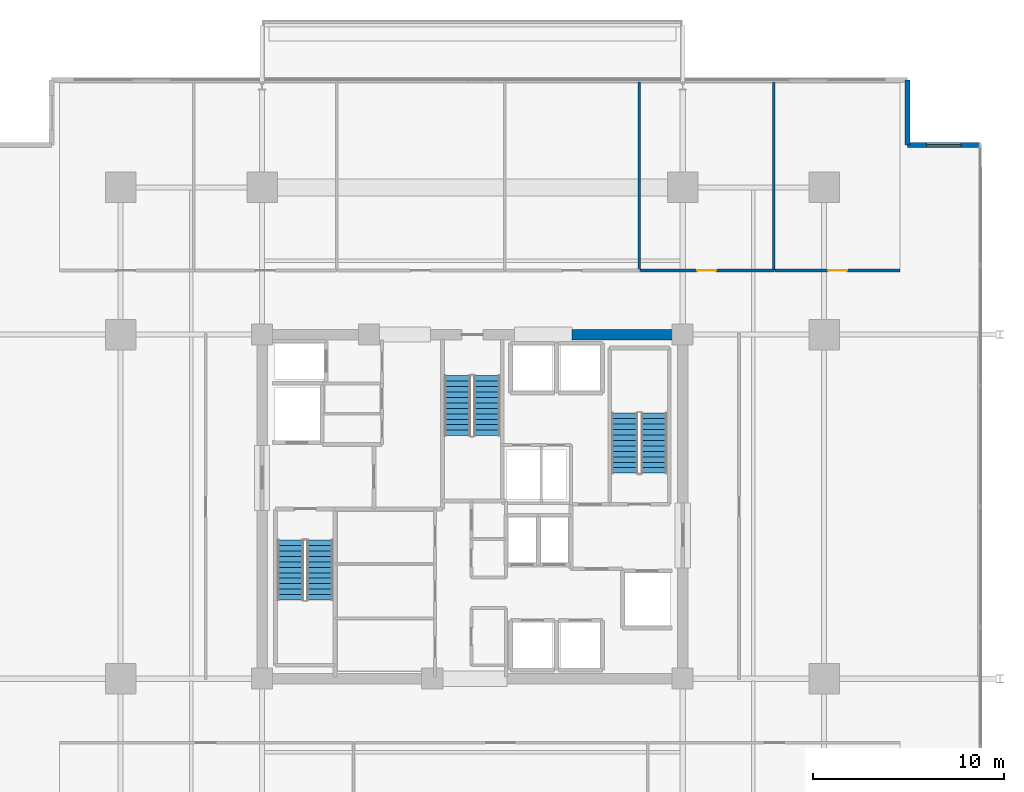
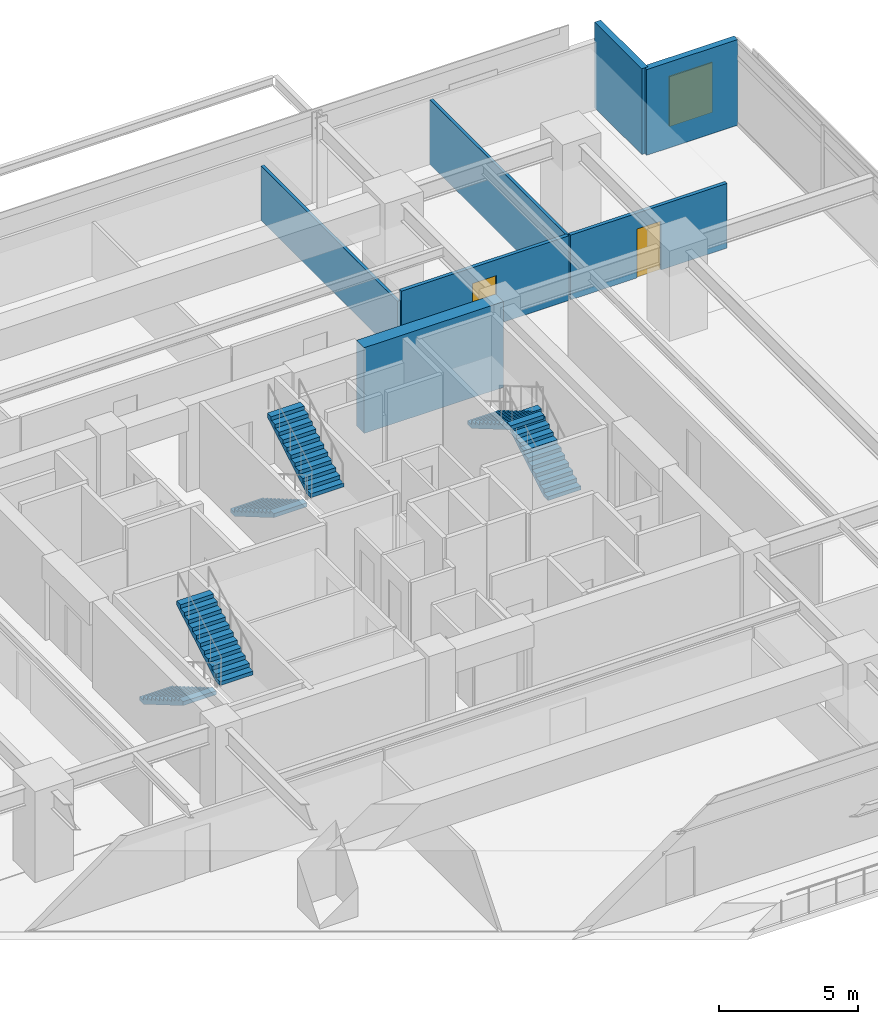
# One storey, part 18 of 23: 7 walls, 6 stair flights, 2 doors, 1 window, 3 openings, 3 elements without a shape of their own.
"""IFC4 building model written with IfcOpenShell, lengths in metres."""

from ifc_helpers import new_model, si_unit, direction, frame, frame_2d, origin, place, context, subcontext, project, spatial, polyline, rectangle, outline, extrude, material, layer, layer_set, type_object, element, fill, aggregate, save


model = new_model("IFC4")

# Units and contexts
model_context = context("Model", 3, precision=1e-05, world=origin(), true_north=direction((0.0, 1.0)))
body_context = subcontext(model_context, "Body", "Model", "MODEL_VIEW")
ifc_project = project(units=[si_unit("LENGTHUNIT", "METRE"), si_unit("AREAUNIT", "SQUARE_METRE"), si_unit("VOLUMEUNIT", "CUBIC_METRE"), si_unit("PLANEANGLEUNIT", "RADIAN"), si_unit("MASSUNIT", "GRAM", prefix="KILO")], contexts=[model_context])

# Site, building, storey
site_placement = place(None, origin())
site = spatial("IfcSite", under=ifc_project, at=site_placement, CompositionType="ELEMENT")
building_placement = place(site_placement, origin())
building = spatial("IfcBuilding", under=site, at=building_placement, Name="Kovane Verandah Tower", CompositionType="ELEMENT")
storey_placement = place(building_placement, frame((0.0, 0.0, 148.39990234375)))
storey = spatial("IfcBuildingStorey", under=building, at=storey_placement, Name="L34", CompositionType="ELEMENT", Elevation=148.39990234375)

# Wall, opening, door
ifc_material_1 = material(Name="Fire-Rated Gypsum Stud Partition", Category="gypsum")
ifc_layer_1 = layer(ifc_material_1, 0.14990234375)
ifc_layer_set_1 = layer_set([ifc_layer_1], Name="Fire-Rated Gypsum Stud Partition")
wall_type_1 = type_object("IfcWallType", Name="WL-COR-150", PredefinedType="PARTITIONING", material=ifc_layer_set_1)
wall_1_placement = place(storey_placement, frame((48.80322265625, 39.85009765625, 0.0), z_axis=(0.0, 0.0, 1.0), x_axis=(1.0, 0.0, 0.0)))
wall_1 = element("IfcWall", 1, at=wall_1_placement, inside=storey, type_object=wall_type_1, Name="L34 Document and Print Room N5 Corridor Partition", PredefinedType="PARTITIONING", context=body_context, shape_type="SweptSolid", body=[
    extrude(rectangle(XDim=6.965087890625, YDim=0.14990234375, at=frame_2d((3.482421875, 0.0))), origin(), (0.0, 0.0, 1.0), 2.85009765625),
])
opening_1_placement = place(wall_1_placement, frame((2.947509765625, 0.0, 0.0)))
opening_1 = element("IfcOpeningElement", 2, at=opening_1_placement, cuts=wall_1, Name="Opening DR-L34-023", PredefinedType="OPENING", context=body_context, shape_type="SweptSolid", body=[
    extrude(rectangle(XDim=1.0, YDim=2.14990234375, at=frame_2d((0.5, 1.074951171875))), frame((0.0, 0.074951171875, 0.0), z_axis=(0.0, -1.0, 0.0), x_axis=(1.0, 0.0, 0.0)), (0.0, 0.0, 1.0), 0.14990234375),
])
ifc_material_2 = material(Name="FSC Spotted-Gum Timber Fire-Rated Office Door", Category="wood")
door_type = type_object("IfcDoorType", Name="DR-OFF-1000", OperationType="SINGLE_SWING_LEFT", PredefinedType="DOOR", material=ifc_material_2)
door_1_placement = place(opening_1_placement, origin())
door_1 = element("IfcDoor", 3, at=door_1_placement, inside=storey, type_object=door_type, Name="L34 Document and Print Room N5 Entrance Door", OperationType="SINGLE_SWING_LEFT", OverallHeight=2.14990234375, OverallWidth=1.0, PredefinedType="DOOR", context=body_context, shape_type="SweptSolid", body=[
    extrude(rectangle(XDim=1.0, YDim=2.14990234375, at=frame_2d((0.5, 1.074951171875))), frame((0.0, 0.02490234375, 0.0), z_axis=(0.0, -1.0, 0.0), x_axis=(1.0, 0.0, 0.0)), (0.0, 0.0, 1.0), 0.050048828125),
])
fill(opening_1, door_1)

wall_2_placement = place(storey_placement, frame((55.838134765625, 39.85009765625, 0.0), z_axis=(0.0, 0.0, 1.0), x_axis=(1.0, 0.0, 0.0)))
wall_2 = element("IfcWall", 4, at=wall_2_placement, inside=storey, type_object=wall_type_1, Name="L34 Open Plan Office N6 Corridor Partition", PredefinedType="PARTITIONING", context=body_context, shape_type="SweptSolid", body=[
    extrude(rectangle(XDim=6.525390625, YDim=0.14990234375, at=frame_2d((3.2626953125, 0.0))), origin(), (0.0, 0.0, 1.0), 2.85009765625),
])
opening_2_placement = place(wall_2_placement, frame((2.7626953125, 0.0, 0.0)))
opening_2 = element("IfcOpeningElement", 5, at=opening_2_placement, cuts=wall_2, Name="Opening DR-L34-024", PredefinedType="OPENING", context=body_context, shape_type="SweptSolid", body=[
    extrude(rectangle(XDim=1.0, YDim=2.14990234375, at=frame_2d((0.5, 1.074951171875))), frame((0.0, 0.074951171875, 0.0), z_axis=(0.0, -1.0, 0.0), x_axis=(1.0, 0.0, 0.0)), (0.0, 0.0, 1.0), 0.14990234375),
])
door_2_placement = place(opening_2_placement, origin())
door_2 = element("IfcDoor", 6, at=door_2_placement, inside=storey, type_object=door_type, Name="L34 Open Plan Office N6 Entrance Door", OperationType="SINGLE_SWING_RIGHT", OverallHeight=2.14990234375, OverallWidth=1.0, PredefinedType="DOOR", context=body_context, shape_type="SweptSolid", body=[
    extrude(rectangle(XDim=1.0, YDim=2.14990234375, at=frame_2d((0.5, 1.074951171875))), frame((0.0, 0.02490234375, 0.0), z_axis=(0.0, -1.0, 0.0), x_axis=(1.0, 0.0, 0.0)), (0.0, 0.0, 1.0), 0.050048828125),
])
fill(opening_2, door_2)

# Walls
ifc_material_3 = material(Name="Concrete C60/75", Category="concrete")
ifc_layer_2 = layer(ifc_material_3, 0.550048828125)
ifc_layer_set_2 = layer_set([ifc_layer_2], Name="Concrete C60/75")
wall_type_2 = type_object("IfcWallType", Name="WL-CORE-550", PredefinedType="SHEAR", material=ifc_layer_set_2)
wall_3_placement = place(storey_placement, frame((45.199951171875, 36.5, 0.0), z_axis=(0.0, 0.0, 1.0), x_axis=(1.0, 0.0, 0.0)))
element("IfcWall", 7, at=wall_3_placement, inside=storey, type_object=wall_type_2, Name="L34 Core Shear Wall CN-3", PredefinedType="SHEAR", context=body_context, shape_type="SweptSolid", body=[
    extrude(rectangle(XDim=5.800048828125, YDim=0.550048828125, at=frame_2d((2.89990234375, 0.0))), origin(), (0.0, 0.0, 1.0), 3.775146484375),
])
ifc_material_4 = material(Name="Acoustic Fire-Rated Gypsum Partition", Category="gypsum")
ifc_layer_3 = layer(ifc_material_4, 0.1201171875)
ifc_layer_set_3 = layer_set([ifc_layer_3], Name="Acoustic Fire-Rated Gypsum Partition")
wall_type_3 = type_object("IfcWallType", Name="WL-PART-120", PredefinedType="PARTITIONING", material=ifc_layer_set_3)
wall_4_placement = place(storey_placement, frame((48.733154296875, 39.85009765625, 0.0), z_axis=(0.0, 0.0, 1.0), x_axis=(0.0, 1.0, 0.0)))
element("IfcWall", 8, at=wall_4_placement, inside=storey, type_object=wall_type_3, Name="L34 Collaboration Hub N4 Dividing Partition", PredefinedType="PARTITIONING", context=body_context, shape_type="SweptSolid", body=[
    extrude(rectangle(XDim=9.853515625, YDim=0.1201171875, at=frame_2d((4.9267578125, 0.0))), origin(), (0.0, 0.0, 1.0), 2.405029296875),
])
wall_5_placement = place(storey_placement, frame((55.768310546875, 39.85009765625, 0.0), z_axis=(0.0, 0.0, 1.0), x_axis=(0.0, 1.0, 0.0)))
element("IfcWall", 9, at=wall_5_placement, inside=storey, type_object=wall_type_3, Name="L34 Document and Print Room N5 Dividing Partition", PredefinedType="PARTITIONING", context=body_context, shape_type="SweptSolid", body=[
    extrude(rectangle(XDim=9.853515625, YDim=0.1201171875, at=frame_2d((4.9267578125, 0.0))), origin(), (0.0, 0.0, 1.0), 2.85009765625),
])

# Wall, opening, window
ifc_material_5 = material(Name="Concrete C45/55 Insulated Spandrel Wall", Category="concrete")
ifc_layer_4 = layer(ifc_material_5, 0.260009765625)
ifc_layer_set_4 = layer_set([ifc_layer_4], Name="Concrete C45/55 Insulated Spandrel Wall")
wall_type_4 = type_object("IfcWallType", Name="WL-SPANDREL-260", PredefinedType="PARAPET", material=ifc_layer_set_4)
wall_6_placement = place(storey_placement, frame((66.5634765625, 46.403564453125, 0.0), z_axis=(0.0, 0.0, 1.0), x_axis=(-1.0, 0.0, 0.0)))
wall_6 = element("IfcWall", 10, at=wall_6_placement, inside=storey, type_object=wall_type_4, Name="L34 NE Notch Cheek Wall 1", PredefinedType="PARAPET", context=body_context, shape_type="SweptSolid", body=[
    extrude(rectangle(XDim=3.800048828125, YDim=0.260009765625, at=frame_2d((1.89990234375, 0.0))), origin(), (0.0, 0.0, 1.0), 3.775146484375),
])
opening_3_placement = place(wall_6_placement, frame((1.0, 0.0, 0.85009765625)))
opening_3 = element("IfcOpeningElement", 11, at=opening_3_placement, cuts=wall_6, Name="Opening W-03", PredefinedType="OPENING", context=body_context, shape_type="SweptSolid", body=[
    extrude(rectangle(XDim=1.800048828125, YDim=2.199951171875, at=frame_2d((0.89990234375, 1.10009765625))), frame((0.0, 0.1298828125, 0.0), z_axis=(0.0, -1.0, 0.0), x_axis=(1.0, 0.0, 0.0)), (0.0, 0.0, 1.0), 0.260009765625),
])
ifc_material_6 = material(Name="Clear Low-E Laminated Double Glazing in Anodised Frame", Category="glass")
window_type = type_object("IfcWindowType", Name="WN-NOTCH-1800x2200", PartitioningType="SINGLE_PANEL", PredefinedType="WINDOW", material=ifc_material_6)
window_placement = place(opening_3_placement, origin())
window = element("IfcWindow", 12, at=window_placement, inside=storey, type_object=window_type, Name="L34 NE Re-Entrant Corner Operable Window", OverallHeight=2.199951171875, OverallWidth=1.800048828125, PartitioningType="SINGLE_PANEL", PredefinedType="WINDOW", context=body_context, shape_type="SweptSolid", body=[
    extrude(rectangle(XDim=1.800048828125, YDim=2.199951171875, at=frame_2d((0.89990234375, 1.10009765625))), frame((0.0, 0.030029296875, 0.0), z_axis=(0.0, -1.0, 0.0), x_axis=(1.0, 0.0, 0.0)), (0.0, 0.0, 1.0), 0.06005859375),
])
fill(opening_3, window)

# Wall
wall_7_placement = place(storey_placement, frame((62.763427734375, 46.403564453125, 0.0), z_axis=(0.0, 0.0, 1.0), x_axis=(0.0, 1.0, 0.0)))
element("IfcWall", 13, at=wall_7_placement, inside=storey, type_object=wall_type_4, Name="L34 NE Notch Cheek Wall 2", PredefinedType="PARAPET", context=body_context, shape_type="SweptSolid", body=[
    extrude(rectangle(XDim=3.400146484375, YDim=0.260009765625, at=frame_2d((1.7001953125, 0.0))), origin(), (0.0, 0.0, 1.0), 3.775146484375),
])

# Stair, stair flights
ifc_material_7 = material(Name="Concrete C45/55", Category="concrete")
stair_type = type_object("IfcStairType", Name="ST-CORE-1380", PredefinedType="HALF_TURN_STAIR", material=ifc_material_7)
stair_1_placement = place(storey_placement, origin())
stair_1 = element("IfcStair", 14, at=stair_1_placement, inside=storey, type_object=stair_type, Name="L34 Exit Stair ST-01", PredefinedType="HALF_TURN_STAIR")
stair_flight_type = type_object("IfcStairFlightType", Name="STF-CORE-1380", PredefinedType="STRAIGHT", material=ifc_material_7)
stair_flight_1_placement = place(storey_placement, frame((30.489990234375, 25.75, 0.0), z_axis=(0.0, 0.0, 1.0), x_axis=(0.0, -1.0, 0.0)))
stair_flight_1 = element("IfcStairFlight", 15, at=stair_flight_1_placement, type_object=stair_flight_type, Name="ST-01 flight 1", NumberOfRisers=12, NumberOfTreads=11, PredefinedType="STRAIGHT", RiserHeight=0.166666667, TreadLength=0.285, context=body_context, shape_type="SweptSolid", body=[
    extrude(outline(polyline([(0.0, 0.0), (0.0, 0.166748046875), (0.284912109375, 0.166748046875), (0.284912109375, 0.333251953125), (0.570068359375, 0.333251953125), (0.570068359375, 0.5), (0.85498046875, 0.5), (0.85498046875, 0.666748046875), (1.139892578125, 0.666748046875), (1.139892578125, 0.833251953125), (1.425048828125, 0.833251953125), (1.425048828125, 1.0), (1.7099609375, 1.0), (1.7099609375, 1.166748046875), (1.9951171875, 1.166748046875), (1.9951171875, 1.333251953125), (2.280029296875, 1.333251953125), (2.280029296875, 1.5), (2.56494140625, 1.5), (2.56494140625, 1.666748046875), (2.85009765625, 1.666748046875), (2.85009765625, 1.833251953125), (3.135009765625, 1.833251953125), (3.135009765625, 2.0), (3.135009765625, 1.65966796875), (0.296875, 0.0), (0.0, 0.0)])), frame((0.0, 0.68994140625, 0.0), z_axis=(0.0, -1.0, 0.0), x_axis=(1.0, 0.0, 0.0)), (0.0, 0.0, 1.0), 1.3798828125),
])
stair_flight_2_placement = place(storey_placement, frame((32.030029296875, 22.614990234375, 2.0), z_axis=(0.0, 0.0, 1.0), x_axis=(0.0, 1.0, 0.0)))
stair_flight_2 = element("IfcStairFlight", 16, at=stair_flight_2_placement, type_object=stair_flight_type, Name="ST-01 flight 2", NumberOfRisers=12, NumberOfTreads=11, PredefinedType="STRAIGHT", RiserHeight=0.166666667, TreadLength=0.285, context=body_context, shape_type="SweptSolid", body=[
    extrude(outline(polyline([(0.0, 0.0), (0.0, 0.166748046875), (0.284912109375, 0.166748046875), (0.284912109375, 0.333251953125), (0.570068359375, 0.333251953125), (0.570068359375, 0.5), (0.85498046875, 0.5), (0.85498046875, 0.666748046875), (1.139892578125, 0.666748046875), (1.139892578125, 0.833251953125), (1.425048828125, 0.833251953125), (1.425048828125, 1.0), (1.7099609375, 1.0), (1.7099609375, 1.166748046875), (1.9951171875, 1.166748046875), (1.9951171875, 1.333251953125), (2.280029296875, 1.333251953125), (2.280029296875, 1.5), (2.56494140625, 1.5), (2.56494140625, 1.666748046875), (2.85009765625, 1.666748046875), (2.85009765625, 1.833251953125), (3.135009765625, 1.833251953125), (3.135009765625, 2.0), (3.135009765625, 1.65966796875), (0.296875, 0.0), (0.0, 0.0)])), frame((0.0, 0.68994140625, 0.0), z_axis=(0.0, -1.0, 0.0), x_axis=(1.0, 0.0, 0.0)), (0.0, 0.0, 1.0), 1.3798828125),
])
aggregate(stair_1, [stair_flight_1, stair_flight_2])

stair_2_placement = place(storey_placement, origin())
stair_2 = element("IfcStair", 17, at=stair_2_placement, inside=storey, type_object=stair_type, Name="L34 Exit Stair ST-02", PredefinedType="HALF_TURN_STAIR")
stair_flight_3_placement = place(storey_placement, frame((49.510009765625, 29.25, 0.0), z_axis=(0.0, 0.0, 1.0), x_axis=(0.0, 1.0, 0.0)))
stair_flight_3 = element("IfcStairFlight", 18, at=stair_flight_3_placement, type_object=stair_flight_type, Name="ST-02 flight 1", NumberOfRisers=12, NumberOfTreads=11, PredefinedType="STRAIGHT", RiserHeight=0.166666667, TreadLength=0.285, context=body_context, shape_type="SweptSolid", body=[
    extrude(outline(polyline([(0.0, 0.0), (0.0, 0.166748046875), (0.284912109375, 0.166748046875), (0.284912109375, 0.333251953125), (0.570068359375, 0.333251953125), (0.570068359375, 0.5), (0.85498046875, 0.5), (0.85498046875, 0.666748046875), (1.139892578125, 0.666748046875), (1.139892578125, 0.833251953125), (1.425048828125, 0.833251953125), (1.425048828125, 1.0), (1.7099609375, 1.0), (1.7099609375, 1.166748046875), (1.9951171875, 1.166748046875), (1.9951171875, 1.333251953125), (2.280029296875, 1.333251953125), (2.280029296875, 1.5), (2.56494140625, 1.5), (2.56494140625, 1.666748046875), (2.85009765625, 1.666748046875), (2.85009765625, 1.833251953125), (3.135009765625, 1.833251953125), (3.135009765625, 2.0), (3.135009765625, 1.65966796875), (0.296875, 0.0), (0.0, 0.0)])), frame((0.0, 0.68994140625, 0.0), z_axis=(0.0, -1.0, 0.0), x_axis=(1.0, 0.0, 0.0)), (0.0, 0.0, 1.0), 1.3798828125),
])
stair_flight_4_placement = place(storey_placement, frame((47.969970703125, 32.385009765625, 2.0), z_axis=(0.0, 0.0, 1.0), x_axis=(0.0, -1.0, 0.0)))
stair_flight_4 = element("IfcStairFlight", 19, at=stair_flight_4_placement, type_object=stair_flight_type, Name="ST-02 flight 2", NumberOfRisers=12, NumberOfTreads=11, PredefinedType="STRAIGHT", RiserHeight=0.166666667, TreadLength=0.285, context=body_context, shape_type="SweptSolid", body=[
    extrude(outline(polyline([(0.0, 0.0), (0.0, 0.166748046875), (0.284912109375, 0.166748046875), (0.284912109375, 0.333251953125), (0.570068359375, 0.333251953125), (0.570068359375, 0.5), (0.85498046875, 0.5), (0.85498046875, 0.666748046875), (1.139892578125, 0.666748046875), (1.139892578125, 0.833251953125), (1.425048828125, 0.833251953125), (1.425048828125, 1.0), (1.7099609375, 1.0), (1.7099609375, 1.166748046875), (1.9951171875, 1.166748046875), (1.9951171875, 1.333251953125), (2.280029296875, 1.333251953125), (2.280029296875, 1.5), (2.56494140625, 1.5), (2.56494140625, 1.666748046875), (2.85009765625, 1.666748046875), (2.85009765625, 1.833251953125), (3.135009765625, 1.833251953125), (3.135009765625, 2.0), (3.135009765625, 1.65966796875), (0.296875, 0.0), (0.0, 0.0)])), frame((0.0, 0.68994140625, 0.0), z_axis=(0.0, -1.0, 0.0), x_axis=(1.0, 0.0, 0.0)), (0.0, 0.0, 1.0), 1.3798828125),
])
aggregate(stair_2, [stair_flight_3, stair_flight_4])

stair_3_placement = place(storey_placement, origin())
stair_3 = element("IfcStair", 20, at=stair_3_placement, inside=storey, type_object=stair_type, Name="L34 Exit Stair ST-03", PredefinedType="HALF_TURN_STAIR")
stair_flight_5_placement = place(storey_placement, frame((39.22998046875, 34.35009765625, 0.0), z_axis=(0.0, 0.0, 1.0), x_axis=(0.0, -1.0, 0.0)))
stair_flight_5 = element("IfcStairFlight", 21, at=stair_flight_5_placement, type_object=stair_flight_type, Name="ST-03 flight 1", NumberOfRisers=12, NumberOfTreads=11, PredefinedType="STRAIGHT", RiserHeight=0.166666667, TreadLength=0.285, context=body_context, shape_type="SweptSolid", body=[
    extrude(outline(polyline([(0.0, 0.0), (0.0, 0.166748046875), (0.284912109375, 0.166748046875), (0.284912109375, 0.333251953125), (0.570068359375, 0.333251953125), (0.570068359375, 0.5), (0.85498046875, 0.5), (0.85498046875, 0.666748046875), (1.139892578125, 0.666748046875), (1.139892578125, 0.833251953125), (1.425048828125, 0.833251953125), (1.425048828125, 1.0), (1.7099609375, 1.0), (1.7099609375, 1.166748046875), (1.9951171875, 1.166748046875), (1.9951171875, 1.333251953125), (2.280029296875, 1.333251953125), (2.280029296875, 1.5), (2.56494140625, 1.5), (2.56494140625, 1.666748046875), (2.85009765625, 1.666748046875), (2.85009765625, 1.833251953125), (3.135009765625, 1.833251953125), (3.135009765625, 2.0), (3.135009765625, 1.65966796875), (0.296875, 0.0), (0.0, 0.0)])), frame((0.0, 0.68994140625, 0.0), z_axis=(0.0, -1.0, 0.0), x_axis=(1.0, 0.0, 0.0)), (0.0, 0.0, 1.0), 1.3798828125),
])
stair_flight_6_placement = place(storey_placement, frame((40.77001953125, 31.215087890625, 2.0), z_axis=(0.0, 0.0, 1.0), x_axis=(0.0, 1.0, 0.0)))
stair_flight_6 = element("IfcStairFlight", 22, at=stair_flight_6_placement, type_object=stair_flight_type, Name="ST-03 flight 2", NumberOfRisers=12, NumberOfTreads=11, PredefinedType="STRAIGHT", RiserHeight=0.166666667, TreadLength=0.285, context=body_context, shape_type="SweptSolid", body=[
    extrude(outline(polyline([(0.0, 0.0), (0.0, 0.166748046875), (0.284912109375, 0.166748046875), (0.284912109375, 0.333251953125), (0.570068359375, 0.333251953125), (0.570068359375, 0.5), (0.85498046875, 0.5), (0.85498046875, 0.666748046875), (1.139892578125, 0.666748046875), (1.139892578125, 0.833251953125), (1.425048828125, 0.833251953125), (1.425048828125, 1.0), (1.7099609375, 1.0), (1.7099609375, 1.166748046875), (1.9951171875, 1.166748046875), (1.9951171875, 1.333251953125), (2.280029296875, 1.333251953125), (2.280029296875, 1.5), (2.56494140625, 1.5), (2.56494140625, 1.666748046875), (2.85009765625, 1.666748046875), (2.85009765625, 1.833251953125), (3.135009765625, 1.833251953125), (3.135009765625, 2.0), (3.135009765625, 1.65966796875), (0.296875, 0.0), (0.0, 0.0)])), frame((0.0, 0.68994140625, 0.0), z_axis=(0.0, -1.0, 0.0), x_axis=(1.0, 0.0, 0.0)), (0.0, 0.0, 1.0), 1.3798828125),
])
aggregate(stair_3, [stair_flight_5, stair_flight_6])

save(model, "model.ifc")
